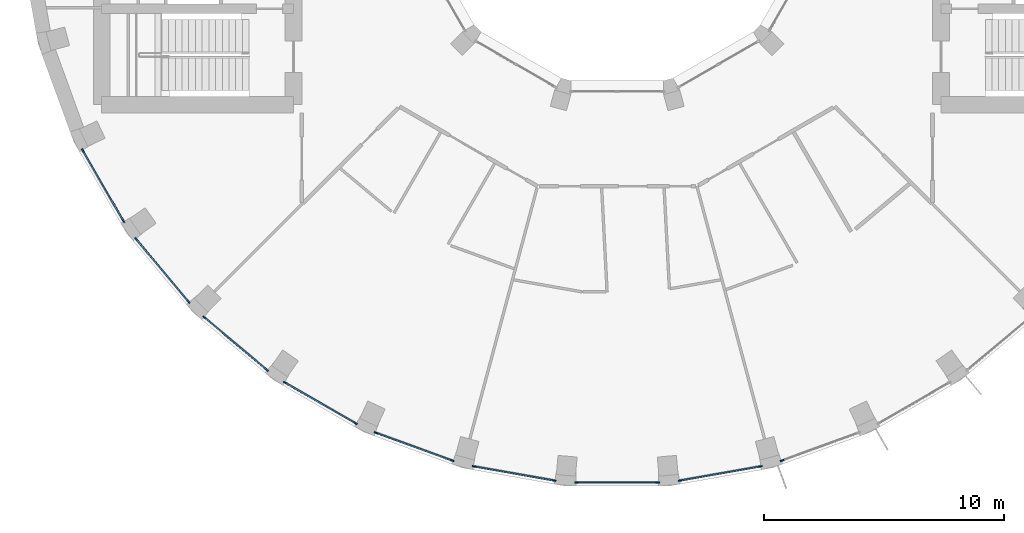
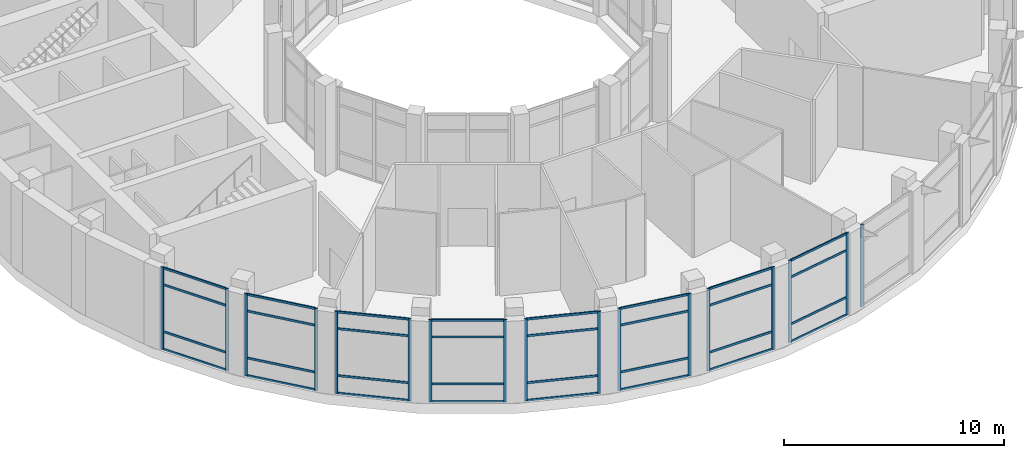
# One storey, part 2 of 18: 49 members, 9 elements without a shape of their own.
"""IFC4 building model written with IfcOpenShell, lengths in metres."""

from ifc_helpers import new_model, si_unit, direction, frame, origin, origin_2d, place, context, subcontext, project, spatial, rectangle, extrude, material, layer, layer_set, material_profile, profile_set, type_object, element, aggregate, save


model = new_model("IFC4")

# Units and contexts
model_context = context("Model", 3, precision=1e-05, world=origin(), true_north=direction((0.0, 1.0)))
body_context = subcontext(model_context, "Body", "Model", "MODEL_VIEW")
ifc_project = project(units=[si_unit("LENGTHUNIT", "METRE"), si_unit("AREAUNIT", "SQUARE_METRE"), si_unit("VOLUMEUNIT", "CUBIC_METRE"), si_unit("PLANEANGLEUNIT", "RADIAN"), si_unit("MASSUNIT", "GRAM", prefix="KILO")], contexts=[model_context])

# Site, building, storey
site_placement = place(None, origin())
site = spatial("IfcSite", under=ifc_project, at=site_placement, CompositionType="ELEMENT")
building_placement = place(site_placement, origin())
building = spatial("IfcBuilding", under=site, at=building_placement, Name="Saqina Gate Tower", CompositionType="ELEMENT")
storey_placement = place(building_placement, frame((0.0, 0.0, 155.800048828125)))
storey = spatial("IfcBuildingStorey", under=building, at=storey_placement, Name="L44", CompositionType="ELEMENT", Elevation=155.800048828125)

# Curtain wall, members
ifc_material_1 = material(Name="Aluminium glazing", Category="aluminium")
ifc_layer = layer(ifc_material_1, 0.159912109375)
ifc_layer_set = layer_set([ifc_layer], Name="CWT-2")
curtain_wall_type = type_object("IfcCurtainWallType", Name="CWT-2", PredefinedType="NOTDEFINED", material=ifc_layer_set)
curtain_wall_1_placement = place(storey_placement, origin())
curtain_wall_1 = element("IfcCurtainWall", 1, at=curtain_wall_1_placement, inside=storey, type_object=curtain_wall_type, Name="Sky lounge glazing facet 21", PredefinedType="NOTDEFINED")
ifc_material_2 = material(Name="Aluminium", Category="aluminium")
ifc_material_profile_1 = material_profile(ifc_material_2, rectangle(XDim=0.06005859375, YDim=0.159912109375, at=origin_2d()), Name="Aluminium 60x160")
ifc_profile_set_1 = profile_set([ifc_material_profile_1], Name="Aluminium")
member_type_1 = type_object("IfcMemberType", Name="CWT-2M", PredefinedType="MULLION", material=ifc_profile_set_1)
member_1_placement = place(storey_placement, frame((-22.285888671875, -10.90966796875, 0.0), z_axis=(0.0, 0.0, 1.0), x_axis=(0.866017110341, 0.500014364391, 0.0)))
member_1 = element("IfcMember", 2, at=member_1_placement, type_object=member_type_1, Name="CW2-21 mullion 1", PredefinedType="MULLION", context=body_context, shape_type="SweptSolid", body=[
    extrude(rectangle(XDim=0.06005859375, YDim=0.159912109375, at=origin_2d()), origin(), (0.0, 0.0, 1.0), 4.550048828125),
])
member_2_placement = place(storey_placement, frame((-20.5908203125, -13.84521484375, 0.0), z_axis=(0.0, 0.0, 1.0), x_axis=(0.866017110341, 0.500014364391, 0.0)))
member_2 = element("IfcMember", 3, at=member_2_placement, type_object=member_type_1, Name="CW2-21 mullion 2", PredefinedType="MULLION", context=body_context, shape_type="SweptSolid", body=[
    extrude(rectangle(XDim=0.06005859375, YDim=0.159912109375, at=origin_2d()), origin(), (0.0, 0.0, 1.0), 4.550048828125),
])

curtain_wall_2_placement = place(storey_placement, origin())
curtain_wall_2 = element("IfcCurtainWall", 4, at=curtain_wall_2_placement, inside=storey, type_object=curtain_wall_type, Name="Sky lounge glazing facet 22", PredefinedType="NOTDEFINED")
member_3_placement = place(storey_placement, frame((-20.052734375, -14.61376953125, 0.0), z_axis=(0.0, 0.0, 1.0), x_axis=(0.766042815286, 0.642789549658, 0.0)))
member_3 = element("IfcMember", 5, at=member_3_placement, type_object=member_type_1, Name="CW2-22 mullion 1", PredefinedType="MULLION", context=body_context, shape_type="SweptSolid", body=[
    extrude(rectangle(XDim=0.06005859375, YDim=0.159912109375, at=origin_2d()), origin(), (0.0, 0.0, 1.0), 4.550048828125),
])
member_4_placement = place(storey_placement, frame((-17.873779296875, -17.21044921875, 0.0), z_axis=(0.0, 0.0, 1.0), x_axis=(0.766042815286, 0.642789549658, 0.0)))
member_4 = element("IfcMember", 6, at=member_4_placement, type_object=member_type_1, Name="CW2-22 mullion 2", PredefinedType="MULLION", context=body_context, shape_type="SweptSolid", body=[
    extrude(rectangle(XDim=0.06005859375, YDim=0.159912109375, at=origin_2d()), origin(), (0.0, 0.0, 1.0), 4.550048828125),
])

curtain_wall_3_placement = place(storey_placement, origin())
curtain_wall_3 = element("IfcCurtainWall", 7, at=curtain_wall_3_placement, inside=storey, type_object=curtain_wall_type, Name="Sky lounge glazing facet 23", PredefinedType="NOTDEFINED")
member_5_placement = place(storey_placement, frame((-17.21044921875, -17.873779296875, 0.0), z_axis=(0.0, 0.0, 1.0), x_axis=(0.642789549658, 0.766042815286, 0.0)))
member_5 = element("IfcMember", 8, at=member_5_placement, type_object=member_type_1, Name="CW2-23 mullion 1", PredefinedType="MULLION", context=body_context, shape_type="SweptSolid", body=[
    extrude(rectangle(XDim=0.06005859375, YDim=0.159912109375, at=origin_2d()), origin(), (0.0, 0.0, 1.0), 4.550048828125),
])
member_6_placement = place(storey_placement, frame((-14.61376953125, -20.052734375, 0.0), z_axis=(0.0, 0.0, 1.0), x_axis=(0.642789549658, 0.766042815286, 0.0)))
member_6 = element("IfcMember", 9, at=member_6_placement, type_object=member_type_1, Name="CW2-23 mullion 2", PredefinedType="MULLION", context=body_context, shape_type="SweptSolid", body=[
    extrude(rectangle(XDim=0.06005859375, YDim=0.159912109375, at=origin_2d()), origin(), (0.0, 0.0, 1.0), 4.550048828125),
])

curtain_wall_4_placement = place(storey_placement, origin())
curtain_wall_4 = element("IfcCurtainWall", 10, at=curtain_wall_4_placement, inside=storey, type_object=curtain_wall_type, Name="Sky lounge glazing facet 24", PredefinedType="NOTDEFINED")
member_7_placement = place(storey_placement, frame((-13.84521484375, -20.5908203125, 0.0), z_axis=(0.0, 0.0, 1.0), x_axis=(0.500014364391, 0.866017110341, 0.0)))
member_7 = element("IfcMember", 11, at=member_7_placement, type_object=member_type_1, Name="CW2-24 mullion 1", PredefinedType="MULLION", context=body_context, shape_type="SweptSolid", body=[
    extrude(rectangle(XDim=0.06005859375, YDim=0.159912109375, at=origin_2d()), origin(), (0.0, 0.0, 1.0), 4.550048828125),
])
member_8_placement = place(storey_placement, frame((-10.90966796875, -22.285888671875, 0.0), z_axis=(0.0, 0.0, 1.0), x_axis=(0.500014364391, 0.866017110341, 0.0)))
member_8 = element("IfcMember", 12, at=member_8_placement, type_object=member_type_1, Name="CW2-24 mullion 2", PredefinedType="MULLION", context=body_context, shape_type="SweptSolid", body=[
    extrude(rectangle(XDim=0.06005859375, YDim=0.159912109375, at=origin_2d()), origin(), (0.0, 0.0, 1.0), 4.550048828125),
])

curtain_wall_5_placement = place(storey_placement, origin())
curtain_wall_5 = element("IfcCurtainWall", 13, at=curtain_wall_5_placement, inside=storey, type_object=curtain_wall_type, Name="Sky lounge glazing facet 25", PredefinedType="NOTDEFINED")
member_9_placement = place(storey_placement, frame((-10.059326171875, -22.682373046875, 0.0), z_axis=(0.0, 0.0, 1.0), x_axis=(0.342024671777, 0.939690972552, 0.0)))
member_9 = element("IfcMember", 14, at=member_9_placement, type_object=member_type_1, Name="CW2-25 mullion 1", PredefinedType="MULLION", context=body_context, shape_type="SweptSolid", body=[
    extrude(rectangle(XDim=0.06005859375, YDim=0.159912109375, at=origin_2d()), origin(), (0.0, 0.0, 1.0), 4.550048828125),
])
member_10_placement = place(storey_placement, frame((-6.8740234375, -23.841552734375, 0.0), z_axis=(0.0, 0.0, 1.0), x_axis=(0.342024671777, 0.939690972552, 0.0)))
member_10 = element("IfcMember", 15, at=member_10_placement, type_object=member_type_1, Name="CW2-25 mullion 2", PredefinedType="MULLION", context=body_context, shape_type="SweptSolid", body=[
    extrude(rectangle(XDim=0.06005859375, YDim=0.159912109375, at=origin_2d()), origin(), (0.0, 0.0, 1.0), 4.550048828125),
])

curtain_wall_6_placement = place(storey_placement, origin())
curtain_wall_6 = element("IfcCurtainWall", 16, at=curtain_wall_6_placement, inside=storey, type_object=curtain_wall_type, Name="Sky lounge glazing facet 26", PredefinedType="NOTDEFINED")
member_11_placement = place(storey_placement, frame((-5.9677734375, -24.08447265625, 0.0), z_axis=(0.0, 0.0, 1.0), x_axis=(0.173638154602, 0.984809520296, 0.0)))
member_11 = element("IfcMember", 17, at=member_11_placement, type_object=member_type_1, Name="CW2-26 mullion 1", PredefinedType="MULLION", context=body_context, shape_type="SweptSolid", body=[
    extrude(rectangle(XDim=0.06005859375, YDim=0.159912109375, at=origin_2d()), origin(), (0.0, 0.0, 1.0), 4.550048828125),
])
member_12_placement = place(storey_placement, frame((-2.629638671875, -24.673095703125, 0.0), z_axis=(0.0, 0.0, 1.0), x_axis=(0.173638154602, 0.984809520296, 0.0)))
member_12 = element("IfcMember", 18, at=member_12_placement, type_object=member_type_1, Name="CW2-26 mullion 2", PredefinedType="MULLION", context=body_context, shape_type="SweptSolid", body=[
    extrude(rectangle(XDim=0.06005859375, YDim=0.159912109375, at=origin_2d()), origin(), (0.0, 0.0, 1.0), 4.550048828125),
])

curtain_wall_7_placement = place(storey_placement, origin())
curtain_wall_7 = element("IfcCurtainWall", 19, at=curtain_wall_7_placement, inside=storey, type_object=curtain_wall_type, Name="Sky lounge glazing facet 27", PredefinedType="NOTDEFINED")
member_13_placement = place(storey_placement, frame((-1.69482421875, -24.7548828125, 0.0), z_axis=(0.0, 0.0, 1.0), x_axis=(0.0, 1.0, 0.0)))
member_13 = element("IfcMember", 20, at=member_13_placement, type_object=member_type_1, Name="CW2-27 mullion 1", PredefinedType="MULLION", context=body_context, shape_type="SweptSolid", body=[
    extrude(rectangle(XDim=0.06005859375, YDim=0.159912109375, at=origin_2d()), origin(), (0.0, 0.0, 1.0), 4.550048828125),
])
member_14_placement = place(storey_placement, frame((1.69482421875, -24.7548828125, 0.0), z_axis=(0.0, 0.0, 1.0), x_axis=(0.0, 1.0, 0.0)))
member_14 = element("IfcMember", 21, at=member_14_placement, type_object=member_type_1, Name="CW2-27 mullion 2", PredefinedType="MULLION", context=body_context, shape_type="SweptSolid", body=[
    extrude(rectangle(XDim=0.06005859375, YDim=0.159912109375, at=origin_2d()), origin(), (0.0, 0.0, 1.0), 4.550048828125),
])

curtain_wall_8_placement = place(storey_placement, origin())
curtain_wall_8 = element("IfcCurtainWall", 22, at=curtain_wall_8_placement, inside=storey, type_object=curtain_wall_type, Name="Sky lounge glazing facet 28", PredefinedType="NOTDEFINED")
member_15_placement = place(storey_placement, frame((2.629638671875, -24.673095703125, 0.0), z_axis=(0.0, 0.0, 1.0), x_axis=(-0.173638154602, 0.984809520296, 0.0)))
member_15 = element("IfcMember", 23, at=member_15_placement, type_object=member_type_1, Name="CW2-28 mullion 1", PredefinedType="MULLION", context=body_context, shape_type="SweptSolid", body=[
    extrude(rectangle(XDim=0.06005859375, YDim=0.159912109375, at=origin_2d()), origin(), (0.0, 0.0, 1.0), 4.550048828125),
])
member_16_placement = place(storey_placement, frame((5.9677734375, -24.08447265625, 0.0), z_axis=(0.0, 0.0, 1.0), x_axis=(-0.173638154602, 0.984809520296, 0.0)))
member_16 = element("IfcMember", 24, at=member_16_placement, type_object=member_type_1, Name="CW2-28 mullion 2", PredefinedType="MULLION", context=body_context, shape_type="SweptSolid", body=[
    extrude(rectangle(XDim=0.06005859375, YDim=0.159912109375, at=origin_2d()), origin(), (0.0, 0.0, 1.0), 4.550048828125),
])

# Curtain wall, member
curtain_wall_9_placement = place(storey_placement, origin())
curtain_wall_9 = element("IfcCurtainWall", 25, at=curtain_wall_9_placement, inside=storey, type_object=curtain_wall_type, Name="Sky lounge glazing facet 29", PredefinedType="NOTDEFINED")
member_17_placement = place(storey_placement, frame((6.8740234375, -23.841552734375, 0.0), z_axis=(0.0, 0.0, 1.0), x_axis=(-0.342024671777, 0.939690972552, 0.0)))
member_17 = element("IfcMember", 26, at=member_17_placement, type_object=member_type_1, Name="CW2-29 mullion 1", PredefinedType="MULLION", context=body_context, shape_type="SweptSolid", body=[
    extrude(rectangle(XDim=0.06005859375, YDim=0.159912109375, at=origin_2d()), origin(), (0.0, 0.0, 1.0), 4.550048828125),
])
aggregate(curtain_wall_9, [member_17])

# Member
ifc_material_3 = material(Name="Aluminium", Category="aluminium")
ifc_material_profile_2 = material_profile(ifc_material_3, rectangle(XDim=0.06005859375, YDim=0.1201171875, at=origin_2d()), Name="Aluminium 60x120")
ifc_profile_set_2 = profile_set([ifc_material_profile_2], Name="Aluminium")
member_type_2 = type_object("IfcMemberType", Name="CWT-2T", PredefinedType="USERDEFINED", material=ifc_profile_set_2)
member_18_placement = place(storey_placement, frame((-22.270751953125, -10.935546875, 0.030029296875), z_axis=(0.499963630688, -0.866046400599, 0.0), x_axis=(0.866046400599, 0.499963630688, 0.0)))
member_18 = element("IfcMember", 27, at=member_18_placement, type_object=member_type_2, Name="CW2-21 transom 1.1", ObjectType="TRANSOM", PredefinedType="USERDEFINED", context=body_context, shape_type="SweptSolid", body=[
    extrude(rectangle(XDim=0.06005859375, YDim=0.1201171875, at=origin_2d()), origin(), (0.0, 0.0, 1.0), 3.329833984375),
])

member_19_placement = place(storey_placement, frame((-22.270751953125, -10.935546875, 1.0), z_axis=(0.499963630688, -0.866046400599, 0.0), x_axis=(0.866046400599, 0.499963630688, 0.0)))
member_19 = element("IfcMember", 28, at=member_19_placement, type_object=member_type_2, Name="CW2-21 transom 1.2", ObjectType="TRANSOM", PredefinedType="USERDEFINED", context=body_context, shape_type="SweptSolid", body=[
    extrude(rectangle(XDim=0.06005859375, YDim=0.1201171875, at=origin_2d()), origin(), (0.0, 0.0, 1.0), 3.329833984375),
])

member_20_placement = place(storey_placement, frame((-22.270751953125, -10.935546875, 3.599853515625), z_axis=(0.499963630688, -0.866046400599, 0.0), x_axis=(0.866046400599, 0.499963630688, 0.0)))
member_20 = element("IfcMember", 29, at=member_20_placement, type_object=member_type_2, Name="CW2-21 transom 1.3", ObjectType="TRANSOM", PredefinedType="USERDEFINED", context=body_context, shape_type="SweptSolid", body=[
    extrude(rectangle(XDim=0.06005859375, YDim=0.1201171875, at=origin_2d()), origin(), (0.0, 0.0, 1.0), 3.329833984375),
])

member_21_placement = place(storey_placement, frame((-22.270751953125, -10.935546875, 4.52001953125), z_axis=(0.499963630688, -0.866046400599, 0.0), x_axis=(0.866046400599, 0.499963630688, 0.0)))
member_21 = element("IfcMember", 30, at=member_21_placement, type_object=member_type_2, Name="CW2-21 transom 1.4", ObjectType="TRANSOM", PredefinedType="USERDEFINED", context=body_context, shape_type="SweptSolid", body=[
    extrude(rectangle(XDim=0.06005859375, YDim=0.1201171875, at=origin_2d()), origin(), (0.0, 0.0, 1.0), 3.329833984375),
])

aggregate(curtain_wall_1, [member_1, member_2, member_18, member_19, member_20, member_21])

member_22_placement = place(storey_placement, frame((-20.033447265625, -14.63671875, 0.030029296875), z_axis=(0.642791355206, -0.766041300239, 0.0), x_axis=(0.766041300239, 0.642791355206, 0.0)))
member_22 = element("IfcMember", 31, at=member_22_placement, type_object=member_type_2, Name="CW2-22 transom 1.1", ObjectType="TRANSOM", PredefinedType="USERDEFINED", context=body_context, shape_type="SweptSolid", body=[
    extrude(rectangle(XDim=0.06005859375, YDim=0.1201171875, at=origin_2d()), origin(), (0.0, 0.0, 1.0), 3.329833984375),
])

member_23_placement = place(storey_placement, frame((-20.033447265625, -14.63671875, 1.0), z_axis=(0.642791355206, -0.766041300239, 0.0), x_axis=(0.766041300239, 0.642791355206, 0.0)))
member_23 = element("IfcMember", 32, at=member_23_placement, type_object=member_type_2, Name="CW2-22 transom 1.2", ObjectType="TRANSOM", PredefinedType="USERDEFINED", context=body_context, shape_type="SweptSolid", body=[
    extrude(rectangle(XDim=0.06005859375, YDim=0.1201171875, at=origin_2d()), origin(), (0.0, 0.0, 1.0), 3.329833984375),
])

member_24_placement = place(storey_placement, frame((-20.033447265625, -14.63671875, 3.599853515625), z_axis=(0.642791355206, -0.766041300239, 0.0), x_axis=(0.766041300239, 0.642791355206, 0.0)))
member_24 = element("IfcMember", 33, at=member_24_placement, type_object=member_type_2, Name="CW2-22 transom 1.3", ObjectType="TRANSOM", PredefinedType="USERDEFINED", context=body_context, shape_type="SweptSolid", body=[
    extrude(rectangle(XDim=0.06005859375, YDim=0.1201171875, at=origin_2d()), origin(), (0.0, 0.0, 1.0), 3.329833984375),
])

member_25_placement = place(storey_placement, frame((-20.033447265625, -14.63671875, 4.52001953125), z_axis=(0.642791355206, -0.766041300239, 0.0), x_axis=(0.766041300239, 0.642791355206, 0.0)))
member_25 = element("IfcMember", 34, at=member_25_placement, type_object=member_type_2, Name="CW2-22 transom 1.4", ObjectType="TRANSOM", PredefinedType="USERDEFINED", context=body_context, shape_type="SweptSolid", body=[
    extrude(rectangle(XDim=0.06005859375, YDim=0.1201171875, at=origin_2d()), origin(), (0.0, 0.0, 1.0), 3.329833984375),
])

aggregate(curtain_wall_2, [member_3, member_4, member_22, member_23, member_24, member_25])

member_26_placement = place(storey_placement, frame((-17.1875, -17.89306640625, 0.030029296875), z_axis=(0.766041300239, -0.642791355206, 0.0), x_axis=(0.642791355206, 0.766041300239, 0.0)))
member_26 = element("IfcMember", 35, at=member_26_placement, type_object=member_type_2, Name="CW2-23 transom 1.1", ObjectType="TRANSOM", PredefinedType="USERDEFINED", context=body_context, shape_type="SweptSolid", body=[
    extrude(rectangle(XDim=0.06005859375, YDim=0.1201171875, at=origin_2d()), origin(), (0.0, 0.0, 1.0), 3.329833984375),
])

member_27_placement = place(storey_placement, frame((-17.1875, -17.89306640625, 1.0), z_axis=(0.766041300239, -0.642791355206, 0.0), x_axis=(0.642791355206, 0.766041300239, 0.0)))
member_27 = element("IfcMember", 36, at=member_27_placement, type_object=member_type_2, Name="CW2-23 transom 1.2", ObjectType="TRANSOM", PredefinedType="USERDEFINED", context=body_context, shape_type="SweptSolid", body=[
    extrude(rectangle(XDim=0.06005859375, YDim=0.1201171875, at=origin_2d()), origin(), (0.0, 0.0, 1.0), 3.329833984375),
])

member_28_placement = place(storey_placement, frame((-17.1875, -17.89306640625, 3.599853515625), z_axis=(0.766041300239, -0.642791355206, 0.0), x_axis=(0.642791355206, 0.766041300239, 0.0)))
member_28 = element("IfcMember", 37, at=member_28_placement, type_object=member_type_2, Name="CW2-23 transom 1.3", ObjectType="TRANSOM", PredefinedType="USERDEFINED", context=body_context, shape_type="SweptSolid", body=[
    extrude(rectangle(XDim=0.06005859375, YDim=0.1201171875, at=origin_2d()), origin(), (0.0, 0.0, 1.0), 3.329833984375),
])

member_29_placement = place(storey_placement, frame((-17.1875, -17.89306640625, 4.52001953125), z_axis=(0.766041300239, -0.642791355206, 0.0), x_axis=(0.642791355206, 0.766041300239, 0.0)))
member_29 = element("IfcMember", 38, at=member_29_placement, type_object=member_type_2, Name="CW2-23 transom 1.4", ObjectType="TRANSOM", PredefinedType="USERDEFINED", context=body_context, shape_type="SweptSolid", body=[
    extrude(rectangle(XDim=0.06005859375, YDim=0.1201171875, at=origin_2d()), origin(), (0.0, 0.0, 1.0), 3.329833984375),
])

aggregate(curtain_wall_3, [member_5, member_6, member_26, member_27, member_28, member_29])

member_30_placement = place(storey_placement, frame((-13.8193359375, -20.60595703125, 0.030029296875), z_axis=(0.866046400599, -0.499963630688, 0.0), x_axis=(0.499963630688, 0.866046400599, 0.0)))
member_30 = element("IfcMember", 39, at=member_30_placement, type_object=member_type_2, Name="CW2-24 transom 1.1", ObjectType="TRANSOM", PredefinedType="USERDEFINED", context=body_context, shape_type="SweptSolid", body=[
    extrude(rectangle(XDim=0.06005859375, YDim=0.1201171875, at=origin_2d()), origin(), (0.0, 0.0, 1.0), 3.329833984375),
])

member_31_placement = place(storey_placement, frame((-13.8193359375, -20.60595703125, 1.0), z_axis=(0.866046400599, -0.499963630688, 0.0), x_axis=(0.499963630688, 0.866046400599, 0.0)))
member_31 = element("IfcMember", 40, at=member_31_placement, type_object=member_type_2, Name="CW2-24 transom 1.2", ObjectType="TRANSOM", PredefinedType="USERDEFINED", context=body_context, shape_type="SweptSolid", body=[
    extrude(rectangle(XDim=0.06005859375, YDim=0.1201171875, at=origin_2d()), origin(), (0.0, 0.0, 1.0), 3.329833984375),
])

member_32_placement = place(storey_placement, frame((-13.8193359375, -20.60595703125, 3.599853515625), z_axis=(0.866046400599, -0.499963630688, 0.0), x_axis=(0.499963630688, 0.866046400599, 0.0)))
member_32 = element("IfcMember", 41, at=member_32_placement, type_object=member_type_2, Name="CW2-24 transom 1.3", ObjectType="TRANSOM", PredefinedType="USERDEFINED", context=body_context, shape_type="SweptSolid", body=[
    extrude(rectangle(XDim=0.06005859375, YDim=0.1201171875, at=origin_2d()), origin(), (0.0, 0.0, 1.0), 3.329833984375),
])

member_33_placement = place(storey_placement, frame((-13.8193359375, -20.60595703125, 4.52001953125), z_axis=(0.866046400599, -0.499963630688, 0.0), x_axis=(0.499963630688, 0.866046400599, 0.0)))
member_33 = element("IfcMember", 42, at=member_33_placement, type_object=member_type_2, Name="CW2-24 transom 1.4", ObjectType="TRANSOM", PredefinedType="USERDEFINED", context=body_context, shape_type="SweptSolid", body=[
    extrude(rectangle(XDim=0.06005859375, YDim=0.1201171875, at=origin_2d()), origin(), (0.0, 0.0, 1.0), 3.329833984375),
])

aggregate(curtain_wall_4, [member_7, member_8, member_30, member_31, member_32, member_33])

member_34_placement = place(storey_placement, frame((-10.031005859375, -22.692626953125, 0.030029296875), z_axis=(0.939707761266, -0.341978542333, 0.0), x_axis=(0.341978542333, 0.939707761266, 0.0)))
member_34 = element("IfcMember", 43, at=member_34_placement, type_object=member_type_2, Name="CW2-25 transom 1.1", ObjectType="TRANSOM", PredefinedType="USERDEFINED", context=body_context, shape_type="SweptSolid", body=[
    extrude(rectangle(XDim=0.06005859375, YDim=0.1201171875, at=origin_2d()), origin(), (0.0, 0.0, 1.0), 3.32958984375),
])

member_35_placement = place(storey_placement, frame((-10.031005859375, -22.692626953125, 1.0), z_axis=(0.939707761266, -0.341978542333, 0.0), x_axis=(0.341978542333, 0.939707761266, 0.0)))
member_35 = element("IfcMember", 44, at=member_35_placement, type_object=member_type_2, Name="CW2-25 transom 1.2", ObjectType="TRANSOM", PredefinedType="USERDEFINED", context=body_context, shape_type="SweptSolid", body=[
    extrude(rectangle(XDim=0.06005859375, YDim=0.1201171875, at=origin_2d()), origin(), (0.0, 0.0, 1.0), 3.32958984375),
])

member_36_placement = place(storey_placement, frame((-10.031005859375, -22.692626953125, 3.599853515625), z_axis=(0.939707761266, -0.341978542333, 0.0), x_axis=(0.341978542333, 0.939707761266, 0.0)))
member_36 = element("IfcMember", 45, at=member_36_placement, type_object=member_type_2, Name="CW2-25 transom 1.3", ObjectType="TRANSOM", PredefinedType="USERDEFINED", context=body_context, shape_type="SweptSolid", body=[
    extrude(rectangle(XDim=0.06005859375, YDim=0.1201171875, at=origin_2d()), origin(), (0.0, 0.0, 1.0), 3.32958984375),
])

member_37_placement = place(storey_placement, frame((-10.031005859375, -22.692626953125, 4.52001953125), z_axis=(0.939707761266, -0.341978542333, 0.0), x_axis=(0.341978542333, 0.939707761266, 0.0)))
member_37 = element("IfcMember", 46, at=member_37_placement, type_object=member_type_2, Name="CW2-25 transom 1.4", ObjectType="TRANSOM", PredefinedType="USERDEFINED", context=body_context, shape_type="SweptSolid", body=[
    extrude(rectangle(XDim=0.06005859375, YDim=0.1201171875, at=origin_2d()), origin(), (0.0, 0.0, 1.0), 3.32958984375),
])

aggregate(curtain_wall_5, [member_9, member_10, member_34, member_35, member_36, member_37])

member_38_placement = place(storey_placement, frame((-5.938232421875, -24.089599609375, 0.030029296875), z_axis=(0.984798318241, -0.173701676414, 0.0), x_axis=(0.173701676414, 0.984798318241, 0.0)))
member_38 = element("IfcMember", 47, at=member_38_placement, type_object=member_type_2, Name="CW2-26 transom 1.1", ObjectType="TRANSOM", PredefinedType="USERDEFINED", context=body_context, shape_type="SweptSolid", body=[
    extrude(rectangle(XDim=0.06005859375, YDim=0.1201171875, at=origin_2d()), origin(), (0.0, 0.0, 1.0), 3.32958984375),
])

member_39_placement = place(storey_placement, frame((-5.938232421875, -24.089599609375, 1.0), z_axis=(0.984798318241, -0.173701676414, 0.0), x_axis=(0.173701676414, 0.984798318241, 0.0)))
member_39 = element("IfcMember", 48, at=member_39_placement, type_object=member_type_2, Name="CW2-26 transom 1.2", ObjectType="TRANSOM", PredefinedType="USERDEFINED", context=body_context, shape_type="SweptSolid", body=[
    extrude(rectangle(XDim=0.06005859375, YDim=0.1201171875, at=origin_2d()), origin(), (0.0, 0.0, 1.0), 3.32958984375),
])

member_40_placement = place(storey_placement, frame((-5.938232421875, -24.089599609375, 3.599853515625), z_axis=(0.984798318241, -0.173701676414, 0.0), x_axis=(0.173701676414, 0.984798318241, 0.0)))
member_40 = element("IfcMember", 49, at=member_40_placement, type_object=member_type_2, Name="CW2-26 transom 1.3", ObjectType="TRANSOM", PredefinedType="USERDEFINED", context=body_context, shape_type="SweptSolid", body=[
    extrude(rectangle(XDim=0.06005859375, YDim=0.1201171875, at=origin_2d()), origin(), (0.0, 0.0, 1.0), 3.32958984375),
])

member_41_placement = place(storey_placement, frame((-5.938232421875, -24.089599609375, 4.52001953125), z_axis=(0.984798318241, -0.173701676414, 0.0), x_axis=(0.173701676414, 0.984798318241, 0.0)))
member_41 = element("IfcMember", 50, at=member_41_placement, type_object=member_type_2, Name="CW2-26 transom 1.4", ObjectType="TRANSOM", PredefinedType="USERDEFINED", context=body_context, shape_type="SweptSolid", body=[
    extrude(rectangle(XDim=0.06005859375, YDim=0.1201171875, at=origin_2d()), origin(), (0.0, 0.0, 1.0), 3.32958984375),
])

aggregate(curtain_wall_6, [member_11, member_12, member_38, member_39, member_40, member_41])

member_42_placement = place(storey_placement, frame((-1.664794921875, -24.7548828125, 0.030029296875), z_axis=(1.0, 0.0, 0.0), x_axis=(0.0, 1.0, 0.0)))
member_42 = element("IfcMember", 51, at=member_42_placement, type_object=member_type_2, Name="CW2-27 transom 1.1", ObjectType="TRANSOM", PredefinedType="USERDEFINED", context=body_context, shape_type="SweptSolid", body=[
    extrude(rectangle(XDim=0.06005859375, YDim=0.1201171875, at=origin_2d()), origin(), (0.0, 0.0, 1.0), 3.32958984375),
])

member_43_placement = place(storey_placement, frame((-1.664794921875, -24.7548828125, 1.0), z_axis=(1.0, 0.0, 0.0), x_axis=(0.0, 1.0, 0.0)))
member_43 = element("IfcMember", 52, at=member_43_placement, type_object=member_type_2, Name="CW2-27 transom 1.2", ObjectType="TRANSOM", PredefinedType="USERDEFINED", context=body_context, shape_type="SweptSolid", body=[
    extrude(rectangle(XDim=0.06005859375, YDim=0.1201171875, at=origin_2d()), origin(), (0.0, 0.0, 1.0), 3.32958984375),
])

member_44_placement = place(storey_placement, frame((-1.664794921875, -24.7548828125, 3.599853515625), z_axis=(1.0, 0.0, 0.0), x_axis=(0.0, 1.0, 0.0)))
member_44 = element("IfcMember", 53, at=member_44_placement, type_object=member_type_2, Name="CW2-27 transom 1.3", ObjectType="TRANSOM", PredefinedType="USERDEFINED", context=body_context, shape_type="SweptSolid", body=[
    extrude(rectangle(XDim=0.06005859375, YDim=0.1201171875, at=origin_2d()), origin(), (0.0, 0.0, 1.0), 3.32958984375),
])

member_45_placement = place(storey_placement, frame((-1.664794921875, -24.7548828125, 4.52001953125), z_axis=(1.0, 0.0, 0.0), x_axis=(0.0, 1.0, 0.0)))
member_45 = element("IfcMember", 54, at=member_45_placement, type_object=member_type_2, Name="CW2-27 transom 1.4", ObjectType="TRANSOM", PredefinedType="USERDEFINED", context=body_context, shape_type="SweptSolid", body=[
    extrude(rectangle(XDim=0.06005859375, YDim=0.1201171875, at=origin_2d()), origin(), (0.0, 0.0, 1.0), 3.32958984375),
])

aggregate(curtain_wall_7, [member_13, member_14, member_42, member_43, member_44, member_45])

member_46_placement = place(storey_placement, frame((2.6591796875, -24.66796875, 0.030029296875), z_axis=(0.984798318241, 0.173701676414, 0.0), x_axis=(-0.173701676414, 0.984798318241, 0.0)))
member_46 = element("IfcMember", 55, at=member_46_placement, type_object=member_type_2, Name="CW2-28 transom 1.1", ObjectType="TRANSOM", PredefinedType="USERDEFINED", context=body_context, shape_type="SweptSolid", body=[
    extrude(rectangle(XDim=0.06005859375, YDim=0.1201171875, at=origin_2d()), origin(), (0.0, 0.0, 1.0), 3.32958984375),
])

member_47_placement = place(storey_placement, frame((2.6591796875, -24.66796875, 1.0), z_axis=(0.984798318241, 0.173701676414, 0.0), x_axis=(-0.173701676414, 0.984798318241, 0.0)))
member_47 = element("IfcMember", 56, at=member_47_placement, type_object=member_type_2, Name="CW2-28 transom 1.2", ObjectType="TRANSOM", PredefinedType="USERDEFINED", context=body_context, shape_type="SweptSolid", body=[
    extrude(rectangle(XDim=0.06005859375, YDim=0.1201171875, at=origin_2d()), origin(), (0.0, 0.0, 1.0), 3.32958984375),
])

member_48_placement = place(storey_placement, frame((2.6591796875, -24.66796875, 3.599853515625), z_axis=(0.984798318241, 0.173701676414, 0.0), x_axis=(-0.173701676414, 0.984798318241, 0.0)))
member_48 = element("IfcMember", 57, at=member_48_placement, type_object=member_type_2, Name="CW2-28 transom 1.3", ObjectType="TRANSOM", PredefinedType="USERDEFINED", context=body_context, shape_type="SweptSolid", body=[
    extrude(rectangle(XDim=0.06005859375, YDim=0.1201171875, at=origin_2d()), origin(), (0.0, 0.0, 1.0), 3.32958984375),
])

member_49_placement = place(storey_placement, frame((2.6591796875, -24.66796875, 4.52001953125), z_axis=(0.984798318241, 0.173701676414, 0.0), x_axis=(-0.173701676414, 0.984798318241, 0.0)))
member_49 = element("IfcMember", 58, at=member_49_placement, type_object=member_type_2, Name="CW2-28 transom 1.4", ObjectType="TRANSOM", PredefinedType="USERDEFINED", context=body_context, shape_type="SweptSolid", body=[
    extrude(rectangle(XDim=0.06005859375, YDim=0.1201171875, at=origin_2d()), origin(), (0.0, 0.0, 1.0), 3.32958984375),
])

aggregate(curtain_wall_8, [member_15, member_16, member_46, member_47, member_48, member_49])

save(model, "model.ifc")
